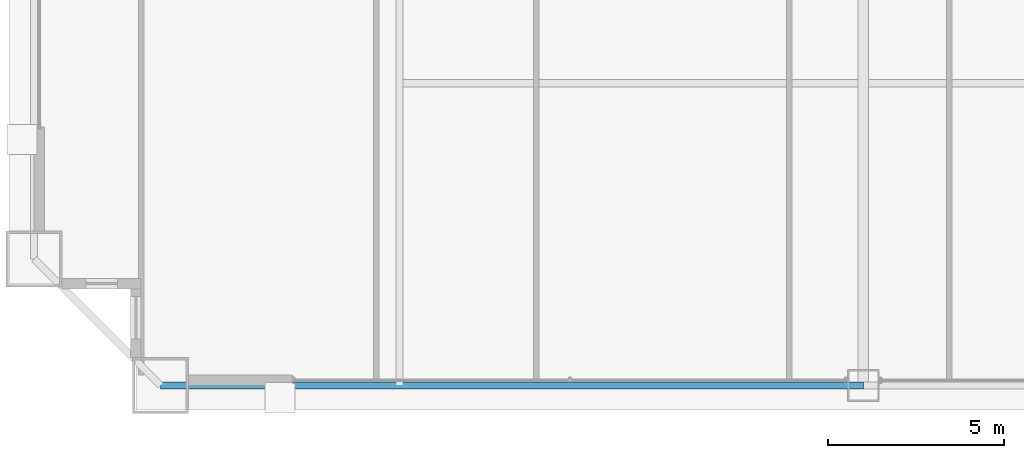
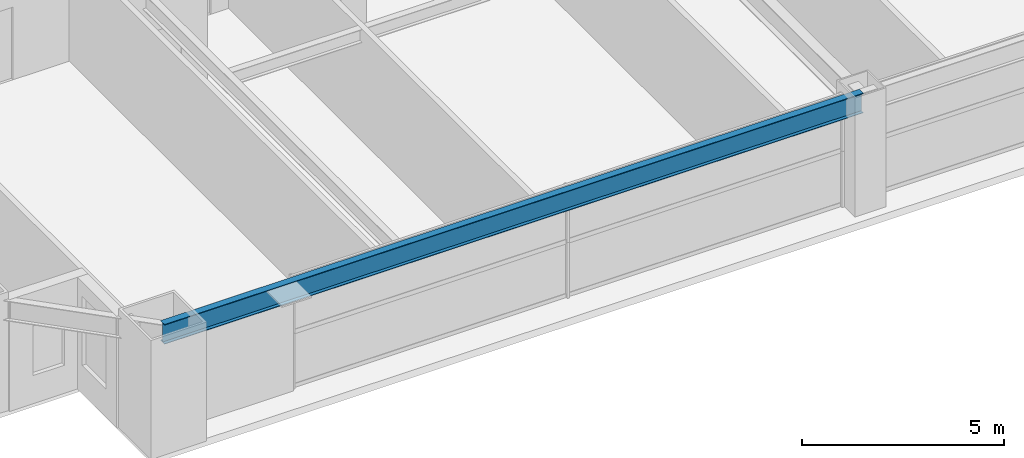
# One storey, part 4 of 38: 1 beam.
"""IFC4 building model written with IfcOpenShell, lengths in metres."""

from ifc_helpers import new_model, si_unit, direction, frame, origin, origin_2d, place, context, subcontext, project, spatial, i_section, extrude, source, transform, mapped, material, material_profile, profile_set, type_object, element, save


model = new_model("IFC4")

# Units and contexts
model_context = context("Model", 3, precision=1e-05, world=origin(), true_north=direction((0.0, 1.0)))
body_context = subcontext(model_context, "Body", "Model", "MODEL_VIEW")
ifc_project = project(units=[si_unit("LENGTHUNIT", "METRE"), si_unit("AREAUNIT", "SQUARE_METRE"), si_unit("VOLUMEUNIT", "CUBIC_METRE"), si_unit("PLANEANGLEUNIT", "RADIAN"), si_unit("MASSUNIT", "GRAM", prefix="KILO"), si_unit("THERMODYNAMICTEMPERATUREUNIT", "KELVIN"), si_unit("POWERUNIT", "WATT")], contexts=[model_context])

# Site, building, storey
site_placement = place(None, origin())
site = spatial("IfcSite", under=ifc_project, at=site_placement, CompositionType="ELEMENT")
building_placement = place(site_placement, origin())
building = spatial("IfcBuilding", under=site, at=building_placement, Name="Yuzanri Waterfront Tower", CompositionType="ELEMENT")
storey_placement = place(building_placement, frame((0.0, 0.0, 90.199951171875)))
storey = spatial("IfcBuildingStorey", under=building, at=storey_placement, Name="L23", CompositionType="ELEMENT", Elevation=90.199951171875)

# Beam
ifc_material = material(Name="Steel Q355B", Category="steel")
ifc_material_profile = material_profile(ifc_material, i_section(OverallWidth=0.199951171875, OverallDepth=0.60009765625, WebThickness=0.010986328125, FlangeThickness=0.01708984375, at=origin_2d()), Name="HN 600x200x11x17")
ifc_profile_set = profile_set([ifc_material_profile], Name="Steel Q355B")
beam_type = type_object("IfcBeamType", Name="Perimeter Spandrel Q355B HN 600x200", PredefinedType="SPANDREL", material=ifc_profile_set)
shared_shape = source(origin(), body_context, "Body", "SweptSolid", [
    extrude(i_section(OverallWidth=0.199951171875, OverallDepth=0.60009765625, WebThickness=0.010986328125, FlangeThickness=0.01708984375, at=origin_2d()), origin(), (0.0, 0.0, 1.0), 20.0),
])
beam_placement = place(storey_placement, frame((17.0, 2.199951171875, 3.080078125), z_axis=(1.0, 0.0, 0.0), x_axis=(0.0, 1.0, 0.0)))
element("IfcBeam", 1, at=beam_placement, inside=storey, type_object=beam_type, Name="L23 Perimeter Spandrel S1-S2", PredefinedType="SPANDREL", context=body_context, shape_type="MappedRepresentation", body=[
    mapped(shared_shape, transform((0.0, 0.0, 0.0), scale=1.0)),
])

save(model, "model.ifc")
